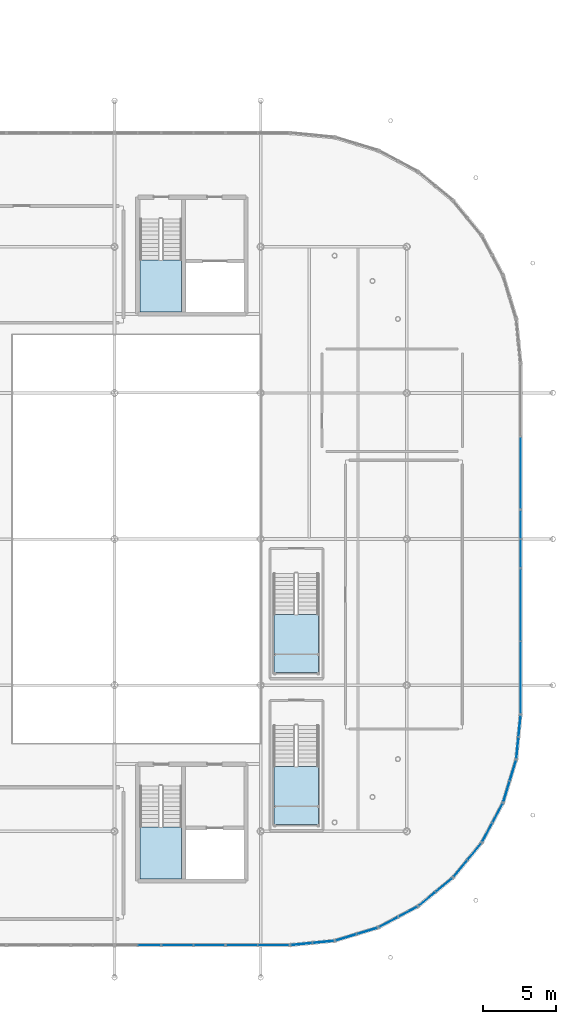
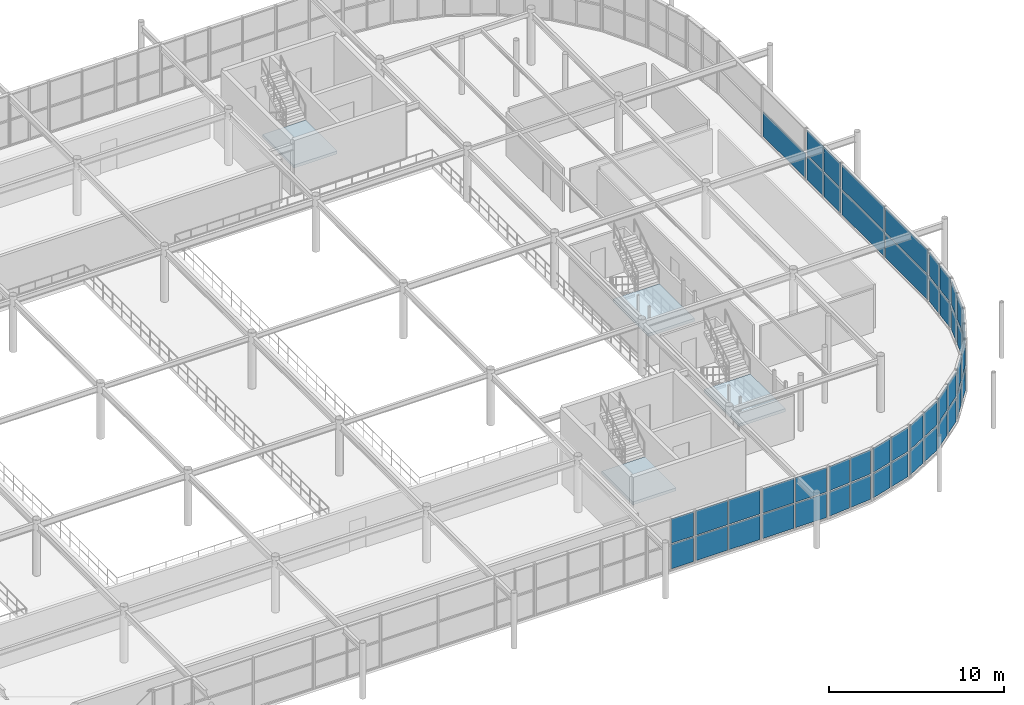
# One storey, part 71 of 98: 51 plates, 4 slabs, 18 elements without a shape of their own.
"""IFC4 building model written with IfcOpenShell, lengths in metres."""

import ifcopenshell
import ifcopenshell.guid

model = None  # the IFC model being written
_history = None  # IfcOwnerHistory: only IFC2X3 demands one
_inside = {}  # id of a spatial element -> (the spatial element, [elements in it])
_under = {}  # id of a project, library or spatial element -> (it, [spatial elements below it])
_declared = {}  # id of a project -> (the project, [libraries it declares])
_typed = {}  # id of a type object -> (the type object, [elements of that type])
_made_of = {}  # id of a material, layer set ... -> (it, [elements and type objects made of it])


def new_model(schema):
    """Start an empty IFC model of exactly this schema.

    Asked for "IFC4X3", IfcOpenShell would pick the latest addendum, in which some entities
    have other attributes; the version numbers below select the first issue.
    IFC2X3 requires an IfcOwnerHistory on every rooted entity: one is made here for all.
    """
    global model, _history
    if schema == "IFC4X3":
        model = ifcopenshell.file(schema_version=(4, 3, 0, 0))
    else:
        model = ifcopenshell.file(schema=schema)
    _inside.clear()
    _under.clear()
    _declared.clear()
    _typed.clear()
    _made_of.clear()
    _history = None
    if model.schema == "IFC2X3":
        org = make("IfcOrganization", Name="unknown")
        user = make(
            "IfcPersonAndOrganization",
            ThePerson=make("IfcPerson", FamilyName="unknown"),
            TheOrganization=org,
        )
        app = make(
            "IfcApplication",
            ApplicationDeveloper=org,
            Version="unknown",
            ApplicationFullName="unknown",
            ApplicationIdentifier="unknown",
        )
        _history = make(
            "IfcOwnerHistory",
            OwningUser=user,
            OwningApplication=app,
            ChangeAction="ADDED",
            CreationDate=0,
        )
    return model


def make(cls, **values):
    """One entity of the class cls with the attributes given. An attribute that is None is left unset."""
    return model.create_entity(
        cls, **{name: value for name, value in values.items() if value is not None}
    )


def rooted(cls, **values):
    """An entity with a GlobalId (a new one), such as an element, a storey or a relation."""
    return make(cls, GlobalId=ifcopenshell.guid.new(), OwnerHistory=_history, **values)


def si_unit(unit_type, name, prefix=None):
    """IfcSIUnit, for example si_unit("LENGTHUNIT", "METRE", prefix="MILLI")."""
    return make("IfcSIUnit", UnitType=unit_type, Prefix=prefix, Name=name)


def derived_unit(unit_type, elements):
    """IfcDerivedUnit: a product of units, each with its exponent."""
    return make(
        "IfcDerivedUnit",
        Elements=[
            make("IfcDerivedUnitElement", Unit=unit, Exponent=power)
            for unit, power in elements
        ],
        UnitType=unit_type,
    )


def assignment(units):
    """IfcUnitAssignment: the units of a project."""
    return None if units is None else make("IfcUnitAssignment", Units=units)


def point(xyz):
    """IfcCartesianPoint."""
    return None if xyz is None else make("IfcCartesianPoint", Coordinates=xyz)


def direction(xyz):
    """IfcDirection."""
    return None if xyz is None else make("IfcDirection", DirectionRatios=xyz)


def frame(location, z_axis=None, x_axis=None):
    """IfcAxis2Placement3D, a coordinate frame: its origin and axes. An axis left out is left unset."""
    return make(
        "IfcAxis2Placement3D",
        Location=point(location),
        Axis=direction(z_axis),
        RefDirection=direction(x_axis),
    )


def frame_2d(location, x_axis=None):
    """IfcAxis2Placement2D, a coordinate frame in the plane: its origin and x axis."""
    return make(
        "IfcAxis2Placement2D", Location=point(location), RefDirection=direction(x_axis)
    )


def origin():
    """The frame at (0, 0, 0) with its axes left unset."""
    return frame((0.0, 0.0, 0.0))


def origin_2d_with_axis():
    """The frame at (0, 0) in the plane with the x axis (1, 0) written out."""
    return frame_2d((0.0, 0.0), x_axis=(1.0, 0.0))


def place(relative_to, where):
    """IfcLocalPlacement: puts the frame where relative to a parent placement (None: the world)."""
    return make(
        "IfcLocalPlacement", PlacementRelTo=relative_to, RelativePlacement=where
    )


def context(
    kind, dimensions, precision=None, world=None, true_north=None, identifier=None
):
    """IfcGeometricRepresentationContext, for example the 3D "Model" context."""
    return make(
        "IfcGeometricRepresentationContext",
        ContextIdentifier=identifier,
        ContextType=kind,
        CoordinateSpaceDimension=dimensions,
        Precision=precision,
        WorldCoordinateSystem=world,
        TrueNorth=true_north,
    )


def subcontext(parent, identifier, kind, view, scale=None):
    """IfcGeometricRepresentationSubContext, for example "Body" below "Model"."""
    return make(
        "IfcGeometricRepresentationSubContext",
        ContextIdentifier=identifier,
        ContextType=kind,
        ParentContext=parent,
        TargetScale=scale,
        TargetView=view,
    )


def project(units=None, contexts=None):
    """IfcProject with its units and contexts."""
    return rooted(
        "IfcProject",
        Name="project",
        RepresentationContexts=contexts,
        UnitsInContext=assignment(units),
    )


def spatial(cls, under=None, at=None, **own):
    """A site, building, storey or space (cls), placed at a placement, below another one or the project."""
    s = rooted(cls, ObjectPlacement=at, **own)
    if under is not None:
        _under.setdefault(under.id(), (under, []))[1].append(s)
    return s


def polyline(points):
    """IfcPolyline through the points."""
    return make("IfcPolyline", Points=[point(p) for p in points])


def profile(cls, at=None, kind="AREA", **sizes):
    """A parametric profile (cls). Its sizes go by their IFC names, for example OverallWidth=200.0."""
    return make(cls, ProfileType=kind, Position=at, **sizes)


def rectangle(**sizes):
    """IfcRectangleProfileDef."""
    return profile("IfcRectangleProfileDef", **sizes)


def outline(outer, holes=None, kind="AREA"):
    """IfcArbitraryClosedProfileDef: a profile drawn as a closed curve; with holes, ...WithVoids."""
    if holes is None:
        return make("IfcArbitraryClosedProfileDef", ProfileType=kind, OuterCurve=outer)
    return make(
        "IfcArbitraryProfileDefWithVoids",
        ProfileType=kind,
        OuterCurve=outer,
        InnerCurves=holes,
    )


def extrude(swept, where, along, depth):
    """IfcExtrudedAreaSolid: the profile swept, set in the frame where, extruded along a direction by depth."""
    return make(
        "IfcExtrudedAreaSolid",
        SweptArea=swept,
        Position=where,
        ExtrudedDirection=direction(along),
        Depth=depth,
    )


def shape(context_of_items, identifier, shape_type, items):
    """IfcShapeRepresentation: the items that make up one representation, for example the "Body"."""
    return make(
        "IfcShapeRepresentation",
        ContextOfItems=context_of_items,
        RepresentationIdentifier=identifier,
        RepresentationType=shape_type,
        Items=items,
    )


def material(Name=None, Category=None):
    """IfcMaterial."""
    return make("IfcMaterial", Name=Name, Category=Category)


def layer(
    of_material, thickness, ventilated=None, Name=None, Category=None, Priority=None
):
    """IfcMaterialLayer: one layer of a wall or slab, of a material (None: an air gap)."""
    return make(
        "IfcMaterialLayer",
        Material=of_material,
        LayerThickness=thickness,
        IsVentilated=ventilated,
        Name=Name,
        Category=Category,
        Priority=Priority,
    )


def layer_set(layers, Name=None):
    """IfcMaterialLayerSet."""
    return make("IfcMaterialLayerSet", MaterialLayers=layers, LayerSetName=Name)


def made_of(thing, what):
    """Note that an element or type object is made of a material, layer set ...; save() writes the relation."""
    if what is not None:
        _made_of.setdefault(what.id(), (what, []))[1].append(thing)
    return thing


def type_object(cls, material=None, **own):
    """A type object (cls), such as IfcWallType, which elements share."""
    return made_of(rooted(cls, **own), material)


def element(
    cls,
    number,
    at=None,
    inside=None,
    cuts=None,
    type_object=None,
    material=None,
    context=None,
    identifier="Body",
    shape_type=None,
    held_by="IfcProductDefinitionShape",
    body=None,
    shapes=None,
    **own,
):
    """One element of the class cls, such as IfcWall. Its Tag is "e" and its number.

    at: its placement. inside: the storey or other place that contains it. cuts: it is an
    opening in that element (IfcRelVoidsElement). A single representation is given by context,
    identifier, shape_type and body (its items); several are given by shapes. held_by: the class
    of the entity that holds the representations. save() writes the other relations.
    """
    e = rooted(cls, Tag="e%d" % number, ObjectPlacement=at, **own)
    if body is not None:
        shapes = [shape(context, identifier, shape_type, body)]
    if shapes is not None:
        e.Representation = make(held_by, Representations=shapes)
    if inside is not None:
        _inside.setdefault(inside.id(), (inside, []))[1].append(e)
    if cuts is not None:
        rooted(
            "IfcRelVoidsElement", RelatingBuildingElement=cuts, RelatedOpeningElement=e
        )
    if type_object is not None:
        _typed.setdefault(type_object.id(), (type_object, []))[1].append(e)
    return made_of(e, material)


def aggregate(whole, parts):
    """IfcRelAggregates: a whole, such as a stair, and the parts it consists of."""
    return rooted("IfcRelAggregates", RelatingObject=whole, RelatedObjects=parts)


def save(model, path):
    """Write the relations noted so far, then the file.

    IfcRelAggregates (storeys below a building ...), IfcRelContainedInSpatialStructure (elements
    in a storey), IfcRelDefinesByType, IfcRelAssociatesMaterial and IfcRelDeclares: one each for
    every whole, place, type object, material and project.
    """
    for whole, parts in _under.values():
        aggregate(whole, parts)
    for where, things in _inside.values():
        rooted(
            "IfcRelContainedInSpatialStructure",
            RelatedElements=things,
            RelatingStructure=where,
        )
    for kind, things in _typed.values():
        rooted("IfcRelDefinesByType", RelatedObjects=things, RelatingType=kind)
    for what, things in _made_of.values():
        rooted("IfcRelAssociatesMaterial", RelatedObjects=things, RelatingMaterial=what)
    for by, libraries in _declared.values():
        rooted("IfcRelDeclares", RelatingContext=by, RelatedDefinitions=libraries)
    model.write(path)


model = new_model("IFC4")

# Units and contexts
model_context = context("Model", 3, precision=1e-05, world=origin(), true_north=direction((0.0, 1.0)))
body_context = subcontext(model_context, "Body", "Model", "MODEL_VIEW")
ifc_project = project(units=[si_unit("LENGTHUNIT", "METRE"), si_unit("AREAUNIT", "SQUARE_METRE"), si_unit("VOLUMEUNIT", "CUBIC_METRE"), si_unit("PLANEANGLEUNIT", "RADIAN"), si_unit("MASSUNIT", "GRAM", prefix="KILO"), derived_unit("THERMALTRANSMITTANCEUNIT", [(si_unit("POWERUNIT", "WATT"), 1), (si_unit("LENGTHUNIT", "METRE"), -2), (si_unit("THERMODYNAMICTEMPERATUREUNIT", "KELVIN"), -1)])], contexts=[model_context])

# Site, building, storey
site_placement = place(None, origin())
site = spatial("IfcSite", under=ifc_project, at=site_placement, CompositionType="ELEMENT")
building_placement = place(site_placement, origin())
building = spatial("IfcBuilding", under=site, at=building_placement, Name="Cinnabar Yard Market Hall", CompositionType="ELEMENT")
storey_placement = place(building_placement, frame((0.0, 0.0, 4.5)))
storey = spatial("IfcBuildingStorey", under=building, at=storey_placement, Name="L01", CompositionType="ELEMENT", Elevation=4.5)

# Curtain wall, plates
ifc_material_1 = material(Name="Anodised bronze aluminium curved-chord facade", Category="aluminium")
curtain_wall_type_1 = type_object("IfcCurtainWallType", Name="CW-CWC031x36", PredefinedType="NOTDEFINED", material=ifc_material_1)
curtain_wall_1_placement = place(storey_placement, origin())
curtain_wall_1 = element("IfcCurtainWall", 1, at=curtain_wall_1_placement, inside=storey, type_object=curtain_wall_type_1, Name="Corner SE Chord 1 L01", PredefinedType="NOTDEFINED")
ifc_material_2 = material(Name="Low-E laminated glass", Category="glass")
ifc_layer_1 = layer(ifc_material_2, 0.031982421875)
ifc_layer_set_1 = layer_set([ifc_layer_1], Name="Low-E laminated glass")
plate_type_1 = type_object("IfcPlateType", Name="CWP-GP141x169", PredefinedType="CURTAIN_PANEL", material=ifc_layer_set_1)
plate_1_placement = place(storey_placement, frame((148.79296875, 16.278076171875, 0.090087890625), z_axis=(0.0, 0.0, 1.0), x_axis=(0.995184408637, 0.098020369342, 0.0)))
plate_1 = element("IfcPlate", 2, at=plate_1_placement, type_object=plate_type_1, Name="CWC031x36 panel 1.1", PredefinedType="CURTAIN_PANEL", context=body_context, shape_type="SweptSolid", body=[
    extrude(rectangle(XDim=1.41357421875, YDim=0.031982421875, at=origin_2d_with_axis()), origin(), (0.0, 0.0, 1.0), 1.68994140625),
])
plate_2_placement = place(storey_placement, frame((148.79296875, 16.278076171875, 1.8701171875), z_axis=(0.0, 0.0, 1.0), x_axis=(0.995184408637, 0.098020369342, 0.0)))
plate_2 = element("IfcPlate", 3, at=plate_2_placement, type_object=plate_type_1, Name="CWC031x36 panel 1.2", PredefinedType="CURTAIN_PANEL", context=body_context, shape_type="SweptSolid", body=[
    extrude(rectangle(XDim=1.41357421875, YDim=0.031982421875, at=origin_2d_with_axis()), origin(), (0.0, 0.0, 1.0), 1.68994140625),
])
plate_3_placement = place(storey_placement, frame((150.289306640625, 16.425537109375, 0.090087890625), z_axis=(0.0, 0.0, 1.0), x_axis=(0.995184408637, 0.098020369342, 0.0)))
plate_3 = element("IfcPlate", 4, at=plate_3_placement, type_object=plate_type_1, Name="CWC031x36 panel 2.1", PredefinedType="CURTAIN_PANEL", context=body_context, shape_type="SweptSolid", body=[
    extrude(rectangle(XDim=1.41357421875, YDim=0.031982421875, at=origin_2d_with_axis()), origin(), (0.0, 0.0, 1.0), 1.68994140625),
])
plate_4_placement = place(storey_placement, frame((150.289306640625, 16.425537109375, 1.8701171875), z_axis=(0.0, 0.0, 1.0), x_axis=(0.995184408637, 0.098020369342, 0.0)))
plate_4 = element("IfcPlate", 5, at=plate_4_placement, type_object=plate_type_1, Name="CWC031x36 panel 2.2", PredefinedType="CURTAIN_PANEL", context=body_context, shape_type="SweptSolid", body=[
    extrude(rectangle(XDim=1.41357421875, YDim=0.031982421875, at=origin_2d_with_axis()), origin(), (0.0, 0.0, 1.0), 1.68994140625),
])
aggregate(curtain_wall_1, [plate_1, plate_2, plate_3, plate_4])

curtain_wall_2_placement = place(storey_placement, origin())
curtain_wall_2 = element("IfcCurtainWall", 6, at=curtain_wall_2_placement, inside=storey, type_object=curtain_wall_type_1, Name="Corner SE Chord 2 L01", PredefinedType="NOTDEFINED")
plate_5_placement = place(storey_placement, frame((151.844970703125, 16.73486328125, 0.090087890625), z_axis=(0.0, 0.0, 1.0), x_axis=(0.956942090856, 0.290278891325, 0.0)))
plate_5 = element("IfcPlate", 7, at=plate_5_placement, type_object=plate_type_1, Name="CWC031x36 panel 1.1", PredefinedType="CURTAIN_PANEL", context=body_context, shape_type="SweptSolid", body=[
    extrude(rectangle(XDim=1.41357421875, YDim=0.031982421875, at=origin_2d_with_axis()), origin(), (0.0, 0.0, 1.0), 1.68994140625),
])
plate_6_placement = place(storey_placement, frame((151.844970703125, 16.73486328125, 1.8701171875), z_axis=(0.0, 0.0, 1.0), x_axis=(0.956942090856, 0.290278891325, 0.0)))
plate_6 = element("IfcPlate", 8, at=plate_6_placement, type_object=plate_type_1, Name="CWC031x36 panel 1.2", PredefinedType="CURTAIN_PANEL", context=body_context, shape_type="SweptSolid", body=[
    extrude(rectangle(XDim=1.41357421875, YDim=0.031982421875, at=origin_2d_with_axis()), origin(), (0.0, 0.0, 1.0), 1.68994140625),
])
plate_7_placement = place(storey_placement, frame((153.283935546875, 17.17138671875, 0.090087890625), z_axis=(0.0, 0.0, 1.0), x_axis=(0.956942090856, 0.290278891325, 0.0)))
plate_7 = element("IfcPlate", 9, at=plate_7_placement, type_object=plate_type_1, Name="CWC031x36 panel 2.1", PredefinedType="CURTAIN_PANEL", context=body_context, shape_type="SweptSolid", body=[
    extrude(rectangle(XDim=1.41357421875, YDim=0.031982421875, at=origin_2d_with_axis()), origin(), (0.0, 0.0, 1.0), 1.68994140625),
])
plate_8_placement = place(storey_placement, frame((153.283935546875, 17.17138671875, 1.8701171875), z_axis=(0.0, 0.0, 1.0), x_axis=(0.956942090856, 0.290278891325, 0.0)))
plate_8 = element("IfcPlate", 10, at=plate_8_placement, type_object=plate_type_1, Name="CWC031x36 panel 2.2", PredefinedType="CURTAIN_PANEL", context=body_context, shape_type="SweptSolid", body=[
    extrude(rectangle(XDim=1.41357421875, YDim=0.031982421875, at=origin_2d_with_axis()), origin(), (0.0, 0.0, 1.0), 1.68994140625),
])
aggregate(curtain_wall_2, [plate_5, plate_6, plate_7, plate_8])

curtain_wall_3_placement = place(storey_placement, origin())
curtain_wall_3 = element("IfcCurtainWall", 11, at=curtain_wall_3_placement, inside=storey, type_object=curtain_wall_type_1, Name="Corner SE Chord 3 L01", PredefinedType="NOTDEFINED")
plate_9_placement = place(storey_placement, frame((154.7490234375, 17.7783203125, 0.090087890625), z_axis=(0.0, 0.0, 1.0), x_axis=(0.881917320707, 0.471404114786, 0.0)))
plate_9 = element("IfcPlate", 12, at=plate_9_placement, type_object=plate_type_1, Name="CWC031x36 panel 1.1", PredefinedType="CURTAIN_PANEL", context=body_context, shape_type="SweptSolid", body=[
    extrude(rectangle(XDim=1.41357421875, YDim=0.031982421875, at=origin_2d_with_axis()), origin(), (0.0, 0.0, 1.0), 1.68994140625),
])
plate_10_placement = place(storey_placement, frame((154.7490234375, 17.7783203125, 1.8701171875), z_axis=(0.0, 0.0, 1.0), x_axis=(0.881917320707, 0.471404114786, 0.0)))
plate_10 = element("IfcPlate", 13, at=plate_10_placement, type_object=plate_type_1, Name="CWC031x36 panel 1.2", PredefinedType="CURTAIN_PANEL", context=body_context, shape_type="SweptSolid", body=[
    extrude(rectangle(XDim=1.41357421875, YDim=0.031982421875, at=origin_2d_with_axis()), origin(), (0.0, 0.0, 1.0), 1.68994140625),
])
plate_11_placement = place(storey_placement, frame((156.0751953125, 18.487060546875, 0.090087890625), z_axis=(0.0, 0.0, 1.0), x_axis=(0.881917320707, 0.471404114786, 0.0)))
plate_11 = element("IfcPlate", 14, at=plate_11_placement, type_object=plate_type_1, Name="CWC031x36 panel 2.1", PredefinedType="CURTAIN_PANEL", context=body_context, shape_type="SweptSolid", body=[
    extrude(rectangle(XDim=1.41357421875, YDim=0.031982421875, at=origin_2d_with_axis()), origin(), (0.0, 0.0, 1.0), 1.68994140625),
])
plate_12_placement = place(storey_placement, frame((156.0751953125, 18.487060546875, 1.8701171875), z_axis=(0.0, 0.0, 1.0), x_axis=(0.881917320707, 0.471404114786, 0.0)))
plate_12 = element("IfcPlate", 15, at=plate_12_placement, type_object=plate_type_1, Name="CWC031x36 panel 2.2", PredefinedType="CURTAIN_PANEL", context=body_context, shape_type="SweptSolid", body=[
    extrude(rectangle(XDim=1.41357421875, YDim=0.031982421875, at=origin_2d_with_axis()), origin(), (0.0, 0.0, 1.0), 1.68994140625),
])
aggregate(curtain_wall_3, [plate_9, plate_10, plate_11, plate_12])

curtain_wall_4_placement = place(storey_placement, origin())
curtain_wall_4 = element("IfcCurtainWall", 16, at=curtain_wall_4_placement, inside=storey, type_object=curtain_wall_type_1, Name="Corner SE Chord 4 L01", PredefinedType="NOTDEFINED")
plate_13_placement = place(storey_placement, frame((157.39404296875, 19.368408203125, 0.090087890625), z_axis=(0.0, 0.0, 1.0), x_axis=(0.773018564222, 0.634383400924, 0.0)))
plate_13 = element("IfcPlate", 17, at=plate_13_placement, type_object=plate_type_1, Name="CWC031x36 panel 1.1", PredefinedType="CURTAIN_PANEL", context=body_context, shape_type="SweptSolid", body=[
    extrude(rectangle(XDim=1.41357421875, YDim=0.031982421875, at=origin_2d_with_axis()), origin(), (0.0, 0.0, 1.0), 1.68994140625),
])
plate_14_placement = place(storey_placement, frame((157.39404296875, 19.368408203125, 1.8701171875), z_axis=(0.0, 0.0, 1.0), x_axis=(0.773018564222, 0.634383400924, 0.0)))
plate_14 = element("IfcPlate", 18, at=plate_14_placement, type_object=plate_type_1, Name="CWC031x36 panel 1.2", PredefinedType="CURTAIN_PANEL", context=body_context, shape_type="SweptSolid", body=[
    extrude(rectangle(XDim=1.41357421875, YDim=0.031982421875, at=origin_2d_with_axis()), origin(), (0.0, 0.0, 1.0), 1.68994140625),
])
plate_15_placement = place(storey_placement, frame((158.556396484375, 20.322265625, 0.090087890625), z_axis=(0.0, 0.0, 1.0), x_axis=(0.773018564222, 0.634383400924, 0.0)))
plate_15 = element("IfcPlate", 19, at=plate_15_placement, type_object=plate_type_1, Name="CWC031x36 panel 2.1", PredefinedType="CURTAIN_PANEL", context=body_context, shape_type="SweptSolid", body=[
    extrude(rectangle(XDim=1.41357421875, YDim=0.031982421875, at=origin_2d_with_axis()), origin(), (0.0, 0.0, 1.0), 1.68994140625),
])
plate_16_placement = place(storey_placement, frame((158.556396484375, 20.322265625, 1.8701171875), z_axis=(0.0, 0.0, 1.0), x_axis=(0.773018564222, 0.634383400924, 0.0)))
plate_16 = element("IfcPlate", 20, at=plate_16_placement, type_object=plate_type_1, Name="CWC031x36 panel 2.2", PredefinedType="CURTAIN_PANEL", context=body_context, shape_type="SweptSolid", body=[
    extrude(rectangle(XDim=1.41357421875, YDim=0.031982421875, at=origin_2d_with_axis()), origin(), (0.0, 0.0, 1.0), 1.68994140625),
])
aggregate(curtain_wall_4, [plate_13, plate_14, plate_15, plate_16])

curtain_wall_5_placement = place(storey_placement, origin())
curtain_wall_5 = element("IfcCurtainWall", 21, at=curtain_wall_5_placement, inside=storey, type_object=curtain_wall_type_1, Name="Corner SE Chord 5 L01", PredefinedType="NOTDEFINED")
plate_17_placement = place(storey_placement, frame((159.677734375, 21.443603515625, 0.090087890625), z_axis=(0.0, 0.0, 1.0), x_axis=(0.634383400924, 0.773018564222, 0.0)))
plate_17 = element("IfcPlate", 22, at=plate_17_placement, type_object=plate_type_1, Name="CWC031x36 panel 1.1", PredefinedType="CURTAIN_PANEL", context=body_context, shape_type="SweptSolid", body=[
    extrude(rectangle(XDim=1.41357421875, YDim=0.031982421875, at=origin_2d_with_axis()), origin(), (0.0, 0.0, 1.0), 1.68994140625),
])
plate_18_placement = place(storey_placement, frame((159.677734375, 21.443603515625, 1.8701171875), z_axis=(0.0, 0.0, 1.0), x_axis=(0.634383400924, 0.773018564222, 0.0)))
plate_18 = element("IfcPlate", 23, at=plate_18_placement, type_object=plate_type_1, Name="CWC031x36 panel 1.2", PredefinedType="CURTAIN_PANEL", context=body_context, shape_type="SweptSolid", body=[
    extrude(rectangle(XDim=1.41357421875, YDim=0.031982421875, at=origin_2d_with_axis()), origin(), (0.0, 0.0, 1.0), 1.68994140625),
])
plate_19_placement = place(storey_placement, frame((160.631591796875, 22.60595703125, 0.090087890625), z_axis=(0.0, 0.0, 1.0), x_axis=(0.634383400924, 0.773018564222, 0.0)))
plate_19 = element("IfcPlate", 24, at=plate_19_placement, type_object=plate_type_1, Name="CWC031x36 panel 2.1", PredefinedType="CURTAIN_PANEL", context=body_context, shape_type="SweptSolid", body=[
    extrude(rectangle(XDim=1.41357421875, YDim=0.031982421875, at=origin_2d_with_axis()), origin(), (0.0, 0.0, 1.0), 1.68994140625),
])
plate_20_placement = place(storey_placement, frame((160.631591796875, 22.60595703125, 1.8701171875), z_axis=(0.0, 0.0, 1.0), x_axis=(0.634383400924, 0.773018564222, 0.0)))
plate_20 = element("IfcPlate", 25, at=plate_20_placement, type_object=plate_type_1, Name="CWC031x36 panel 2.2", PredefinedType="CURTAIN_PANEL", context=body_context, shape_type="SweptSolid", body=[
    extrude(rectangle(XDim=1.41357421875, YDim=0.031982421875, at=origin_2d_with_axis()), origin(), (0.0, 0.0, 1.0), 1.68994140625),
])
aggregate(curtain_wall_5, [plate_17, plate_18, plate_19, plate_20])

curtain_wall_6_placement = place(storey_placement, origin())
curtain_wall_6 = element("IfcCurtainWall", 26, at=curtain_wall_6_placement, inside=storey, type_object=curtain_wall_type_1, Name="Corner SE Chord 6 L01", PredefinedType="NOTDEFINED")
plate_21_placement = place(storey_placement, frame((161.512939453125, 23.9248046875, 0.090087890625), z_axis=(0.0, 0.0, 1.0), x_axis=(0.471404114786, 0.881917320707, 0.0)))
plate_21 = element("IfcPlate", 27, at=plate_21_placement, type_object=plate_type_1, Name="CWC031x36 panel 1.1", PredefinedType="CURTAIN_PANEL", context=body_context, shape_type="SweptSolid", body=[
    extrude(rectangle(XDim=1.41357421875, YDim=0.031982421875, at=origin_2d_with_axis()), origin(), (0.0, 0.0, 1.0), 1.68994140625),
])
plate_22_placement = place(storey_placement, frame((161.512939453125, 23.9248046875, 1.8701171875), z_axis=(0.0, 0.0, 1.0), x_axis=(0.471404114786, 0.881917320707, 0.0)))
plate_22 = element("IfcPlate", 28, at=plate_22_placement, type_object=plate_type_1, Name="CWC031x36 panel 1.2", PredefinedType="CURTAIN_PANEL", context=body_context, shape_type="SweptSolid", body=[
    extrude(rectangle(XDim=1.41357421875, YDim=0.031982421875, at=origin_2d_with_axis()), origin(), (0.0, 0.0, 1.0), 1.68994140625),
])
plate_23_placement = place(storey_placement, frame((162.2216796875, 25.2509765625, 0.090087890625), z_axis=(0.0, 0.0, 1.0), x_axis=(0.471404114786, 0.881917320707, 0.0)))
plate_23 = element("IfcPlate", 29, at=plate_23_placement, type_object=plate_type_1, Name="CWC031x36 panel 2.1", PredefinedType="CURTAIN_PANEL", context=body_context, shape_type="SweptSolid", body=[
    extrude(rectangle(XDim=1.41357421875, YDim=0.031982421875, at=origin_2d_with_axis()), origin(), (0.0, 0.0, 1.0), 1.68994140625),
])
plate_24_placement = place(storey_placement, frame((162.2216796875, 25.2509765625, 1.8701171875), z_axis=(0.0, 0.0, 1.0), x_axis=(0.471404114786, 0.881917320707, 0.0)))
plate_24 = element("IfcPlate", 30, at=plate_24_placement, type_object=plate_type_1, Name="CWC031x36 panel 2.2", PredefinedType="CURTAIN_PANEL", context=body_context, shape_type="SweptSolid", body=[
    extrude(rectangle(XDim=1.41357421875, YDim=0.031982421875, at=origin_2d_with_axis()), origin(), (0.0, 0.0, 1.0), 1.68994140625),
])
aggregate(curtain_wall_6, [plate_21, plate_22, plate_23, plate_24])

curtain_wall_7_placement = place(storey_placement, origin())
curtain_wall_7 = element("IfcCurtainWall", 31, at=curtain_wall_7_placement, inside=storey, type_object=curtain_wall_type_1, Name="Corner SE Chord 7 L01", PredefinedType="NOTDEFINED")
plate_25_placement = place(storey_placement, frame((162.82861328125, 26.716064453125, 0.090087890625), z_axis=(0.0, 0.0, 1.0), x_axis=(0.290278891325, 0.956942090856, 0.0)))
plate_25 = element("IfcPlate", 32, at=plate_25_placement, type_object=plate_type_1, Name="CWC031x36 panel 1.1", PredefinedType="CURTAIN_PANEL", context=body_context, shape_type="SweptSolid", body=[
    extrude(rectangle(XDim=1.41357421875, YDim=0.031982421875, at=origin_2d_with_axis()), origin(), (0.0, 0.0, 1.0), 1.68994140625),
])
plate_26_placement = place(storey_placement, frame((162.82861328125, 26.716064453125, 1.8701171875), z_axis=(0.0, 0.0, 1.0), x_axis=(0.290278891325, 0.956942090856, 0.0)))
plate_26 = element("IfcPlate", 33, at=plate_26_placement, type_object=plate_type_1, Name="CWC031x36 panel 1.2", PredefinedType="CURTAIN_PANEL", context=body_context, shape_type="SweptSolid", body=[
    extrude(rectangle(XDim=1.41357421875, YDim=0.031982421875, at=origin_2d_with_axis()), origin(), (0.0, 0.0, 1.0), 1.68994140625),
])
plate_27_placement = place(storey_placement, frame((163.26513671875, 28.155029296875, 0.090087890625), z_axis=(0.0, 0.0, 1.0), x_axis=(0.290278891325, 0.956942090856, 0.0)))
plate_27 = element("IfcPlate", 34, at=plate_27_placement, type_object=plate_type_1, Name="CWC031x36 panel 2.1", PredefinedType="CURTAIN_PANEL", context=body_context, shape_type="SweptSolid", body=[
    extrude(rectangle(XDim=1.41357421875, YDim=0.031982421875, at=origin_2d_with_axis()), origin(), (0.0, 0.0, 1.0), 1.68994140625),
])
plate_28_placement = place(storey_placement, frame((163.26513671875, 28.155029296875, 1.8701171875), z_axis=(0.0, 0.0, 1.0), x_axis=(0.290278891325, 0.956942090856, 0.0)))
plate_28 = element("IfcPlate", 35, at=plate_28_placement, type_object=plate_type_1, Name="CWC031x36 panel 2.2", PredefinedType="CURTAIN_PANEL", context=body_context, shape_type="SweptSolid", body=[
    extrude(rectangle(XDim=1.41357421875, YDim=0.031982421875, at=origin_2d_with_axis()), origin(), (0.0, 0.0, 1.0), 1.68994140625),
])
aggregate(curtain_wall_7, [plate_25, plate_26, plate_27, plate_28])

curtain_wall_8_placement = place(storey_placement, origin())
curtain_wall_8 = element("IfcCurtainWall", 36, at=curtain_wall_8_placement, inside=storey, type_object=curtain_wall_type_1, Name="Corner SE Chord 8 L01", PredefinedType="NOTDEFINED")
plate_29_placement = place(storey_placement, frame((163.574462890625, 29.710693359375, 0.090087890625), z_axis=(0.0, 0.0, 1.0), x_axis=(0.098020369342, 0.995184408637, 0.0)))
plate_29 = element("IfcPlate", 37, at=plate_29_placement, type_object=plate_type_1, Name="CWC031x36 panel 1.1", PredefinedType="CURTAIN_PANEL", context=body_context, shape_type="SweptSolid", body=[
    extrude(rectangle(XDim=1.41357421875, YDim=0.031982421875, at=origin_2d_with_axis()), origin(), (0.0, 0.0, 1.0), 1.68994140625),
])
plate_30_placement = place(storey_placement, frame((163.574462890625, 29.710693359375, 1.8701171875), z_axis=(0.0, 0.0, 1.0), x_axis=(0.098020369342, 0.995184408637, 0.0)))
plate_30 = element("IfcPlate", 38, at=plate_30_placement, type_object=plate_type_1, Name="CWC031x36 panel 1.2", PredefinedType="CURTAIN_PANEL", context=body_context, shape_type="SweptSolid", body=[
    extrude(rectangle(XDim=1.41357421875, YDim=0.031982421875, at=origin_2d_with_axis()), origin(), (0.0, 0.0, 1.0), 1.68994140625),
])
plate_31_placement = place(storey_placement, frame((163.721923828125, 31.20703125, 0.090087890625), z_axis=(0.0, 0.0, 1.0), x_axis=(0.098020369342, 0.995184408637, 0.0)))
plate_31 = element("IfcPlate", 39, at=plate_31_placement, type_object=plate_type_1, Name="CWC031x36 panel 2.1", PredefinedType="CURTAIN_PANEL", context=body_context, shape_type="SweptSolid", body=[
    extrude(rectangle(XDim=1.41357421875, YDim=0.031982421875, at=origin_2d_with_axis()), origin(), (0.0, 0.0, 1.0), 1.68994140625),
])
plate_32_placement = place(storey_placement, frame((163.721923828125, 31.20703125, 1.8701171875), z_axis=(0.0, 0.0, 1.0), x_axis=(0.098020369342, 0.995184408637, 0.0)))
plate_32 = element("IfcPlate", 40, at=plate_32_placement, type_object=plate_type_1, Name="CWC031x36 panel 2.2", PredefinedType="CURTAIN_PANEL", context=body_context, shape_type="SweptSolid", body=[
    extrude(rectangle(XDim=1.41357421875, YDim=0.031982421875, at=origin_2d_with_axis()), origin(), (0.0, 0.0, 1.0), 1.68994140625),
])
aggregate(curtain_wall_8, [plate_29, plate_30, plate_31, plate_32])

ifc_material_3 = material(Name="Anodised bronze aluminium and low-E glass", Category="aluminium")
curtain_wall_type_2 = type_object("IfcCurtainWallType", Name="CW-CWH032x36", PredefinedType="NOTDEFINED", material=ifc_material_3)
curtain_wall_9_placement = place(storey_placement, origin())
curtain_wall_9 = element("IfcCurtainWall", 41, at=curtain_wall_9_placement, inside=storey, type_object=curtain_wall_type_2, Name="Market Hall South Gallery Glazing B6A", PredefinedType="NOTDEFINED")
ifc_layer_2 = layer(ifc_material_2, 0.031982421875)
ifc_layer_set_2 = layer_set([ifc_layer_2], Name="Low-E laminated glass")
plate_type_2 = type_object("IfcPlateType", Name="CWP-GP148x171", PredefinedType="CURTAIN_PANEL", material=ifc_layer_set_2)
plate_33_placement = place(storey_placement, frame((138.3798828125, 16.199951171875, 0.080078125), z_axis=(0.0, 0.0, 1.0), x_axis=(1.0, 0.0, 0.0)))
plate_33 = element("IfcPlate", 42, at=plate_33_placement, type_object=plate_type_2, Name="CWH032x36 panel 2.1", PredefinedType="CURTAIN_PANEL", context=body_context, shape_type="SweptSolid", body=[
    extrude(rectangle(XDim=1.47998046875, YDim=0.031982421875, at=origin_2d_with_axis()), origin(), (0.0, 0.0, 1.0), 1.705078125),
])
plate_34_placement = place(storey_placement, frame((138.3798828125, 16.199951171875, 1.864990234375), z_axis=(0.0, 0.0, 1.0), x_axis=(1.0, 0.0, 0.0)))
plate_34 = element("IfcPlate", 43, at=plate_34_placement, type_object=plate_type_2, Name="CWH032x36 panel 2.2", PredefinedType="CURTAIN_PANEL", context=body_context, shape_type="SweptSolid", body=[
    extrude(rectangle(XDim=1.47998046875, YDim=0.031982421875, at=origin_2d_with_axis()), origin(), (0.0, 0.0, 1.0), 1.705078125),
])
aggregate(curtain_wall_9, [plate_33, plate_34])

curtain_wall_type_3 = type_object("IfcCurtainWallType", Name="CW-CWH040x36", PredefinedType="NOTDEFINED", material=ifc_material_3)
curtain_wall_10_placement = place(storey_placement, origin())
curtain_wall_10 = element("IfcCurtainWall", 44, at=curtain_wall_10_placement, inside=storey, type_object=curtain_wall_type_3, Name="Market Hall East Gallery Glazing WPT", PredefinedType="NOTDEFINED")
ifc_layer_3 = layer(ifc_material_2, 0.031982421875)
ifc_layer_set_3 = layer_set([ifc_layer_3], Name="Low-E laminated glass")
plate_type_3 = type_object("IfcPlateType", Name="CWP-GP188x171", PredefinedType="CURTAIN_PANEL", material=ifc_layer_set_3)
plate_35_placement = place(storey_placement, frame((163.800048828125, 43.02001953125, 0.080078125), z_axis=(0.0, 0.0, 1.0), x_axis=(0.0, 1.0, 0.0)))
plate_35 = element("IfcPlate", 45, at=plate_35_placement, type_object=plate_type_3, Name="CWH040x36 panel 1.1", PredefinedType="CURTAIN_PANEL", context=body_context, shape_type="SweptSolid", body=[
    extrude(rectangle(XDim=1.8798828125, YDim=0.031982421875, at=origin_2d_with_axis()), origin(), (0.0, 0.0, 1.0), 1.705078125),
])
plate_36_placement = place(storey_placement, frame((163.800048828125, 43.02001953125, 1.864990234375), z_axis=(0.0, 0.0, 1.0), x_axis=(0.0, 1.0, 0.0)))
plate_36 = element("IfcPlate", 46, at=plate_36_placement, type_object=plate_type_3, Name="CWH040x36 panel 1.2", PredefinedType="CURTAIN_PANEL", context=body_context, shape_type="SweptSolid", body=[
    extrude(rectangle(XDim=1.8798828125, YDim=0.031982421875, at=origin_2d_with_axis()), origin(), (0.0, 0.0, 1.0), 1.705078125),
])
plate_37_placement = place(storey_placement, frame((163.800048828125, 44.97998046875, 0.080078125), z_axis=(0.0, 0.0, 1.0), x_axis=(0.0, 1.0, 0.0)))
plate_37 = element("IfcPlate", 47, at=plate_37_placement, type_object=plate_type_3, Name="CWH040x36 panel 2.1", PredefinedType="CURTAIN_PANEL", context=body_context, shape_type="SweptSolid", body=[
    extrude(rectangle(XDim=1.8798828125, YDim=0.031982421875, at=origin_2d_with_axis()), origin(), (0.0, 0.0, 1.0), 1.705078125),
])
plate_38_placement = place(storey_placement, frame((163.800048828125, 44.97998046875, 1.864990234375), z_axis=(0.0, 0.0, 1.0), x_axis=(0.0, 1.0, 0.0)))
plate_38 = element("IfcPlate", 48, at=plate_38_placement, type_object=plate_type_3, Name="CWH040x36 panel 2.2", PredefinedType="CURTAIN_PANEL", context=body_context, shape_type="SweptSolid", body=[
    extrude(rectangle(XDim=1.8798828125, YDim=0.031982421875, at=origin_2d_with_axis()), origin(), (0.0, 0.0, 1.0), 1.705078125),
])
aggregate(curtain_wall_10, [plate_35, plate_36, plate_37, plate_38])

curtain_wall_type_4 = type_object("IfcCurtainWallType", Name="CW-CWH044x36", PredefinedType="NOTDEFINED", material=ifc_material_3)
curtain_wall_11_placement = place(storey_placement, origin())
curtain_wall_11 = element("IfcCurtainWall", 49, at=curtain_wall_11_placement, inside=storey, type_object=curtain_wall_type_4, Name="Market Hall South Gallery Glazing PTE", PredefinedType="NOTDEFINED")
ifc_layer_4 = layer(ifc_material_2, 0.031982421875)
ifc_layer_set_4 = layer_set([ifc_layer_4], Name="Low-E laminated glass")
plate_type_4 = type_object("IfcPlateType", Name="CWP-GP208x171", PredefinedType="CURTAIN_PANEL", material=ifc_layer_set_4)
plate_39_placement = place(storey_placement, frame((140.320068359375, 16.199951171875, 0.080078125), z_axis=(0.0, 0.0, 1.0), x_axis=(1.0, 0.0, 0.0)))
plate_39 = element("IfcPlate", 50, at=plate_39_placement, type_object=plate_type_4, Name="CWH044x36 panel 1.1", PredefinedType="CURTAIN_PANEL", context=body_context, shape_type="SweptSolid", body=[
    extrude(rectangle(XDim=2.080078125, YDim=0.031982421875, at=origin_2d_with_axis()), origin(), (0.0, 0.0, 1.0), 1.705078125),
])
plate_40_placement = place(storey_placement, frame((140.320068359375, 16.199951171875, 1.864990234375), z_axis=(0.0, 0.0, 1.0), x_axis=(1.0, 0.0, 0.0)))
plate_40 = element("IfcPlate", 51, at=plate_40_placement, type_object=plate_type_4, Name="CWH044x36 panel 1.2", PredefinedType="CURTAIN_PANEL", context=body_context, shape_type="SweptSolid", body=[
    extrude(rectangle(XDim=2.080078125, YDim=0.031982421875, at=origin_2d_with_axis()), origin(), (0.0, 0.0, 1.0), 1.705078125),
])
plate_41_placement = place(storey_placement, frame((142.47998046875, 16.199951171875, 0.080078125), z_axis=(0.0, 0.0, 1.0), x_axis=(1.0, 0.0, 0.0)))
plate_41 = element("IfcPlate", 52, at=plate_41_placement, type_object=plate_type_4, Name="CWH044x36 panel 2.1", PredefinedType="CURTAIN_PANEL", context=body_context, shape_type="SweptSolid", body=[
    extrude(rectangle(XDim=2.080078125, YDim=0.031982421875, at=origin_2d_with_axis()), origin(), (0.0, 0.0, 1.0), 1.705078125),
])
plate_42_placement = place(storey_placement, frame((142.47998046875, 16.199951171875, 1.864990234375), z_axis=(0.0, 0.0, 1.0), x_axis=(1.0, 0.0, 0.0)))
plate_42 = element("IfcPlate", 53, at=plate_42_placement, type_object=plate_type_4, Name="CWH044x36 panel 2.2", PredefinedType="CURTAIN_PANEL", context=body_context, shape_type="SweptSolid", body=[
    extrude(rectangle(XDim=2.080078125, YDim=0.031982421875, at=origin_2d_with_axis()), origin(), (0.0, 0.0, 1.0), 1.705078125),
])
aggregate(curtain_wall_11, [plate_39, plate_40, plate_41, plate_42])

curtain_wall_12_placement = place(storey_placement, origin())
curtain_wall_12 = element("IfcCurtainWall", 54, at=curtain_wall_12_placement, inside=storey, type_object=curtain_wall_type_4, Name="Market Hall South Gallery Glazing B6B", PredefinedType="NOTDEFINED")
plate_43_placement = place(storey_placement, frame((144.719970703125, 16.199951171875, 0.080078125), z_axis=(0.0, 0.0, 1.0), x_axis=(1.0, 0.0, 0.0)))
plate_43 = element("IfcPlate", 55, at=plate_43_placement, type_object=plate_type_4, Name="CWH044x36 panel 1.1", PredefinedType="CURTAIN_PANEL", context=body_context, shape_type="SweptSolid", body=[
    extrude(rectangle(XDim=2.080078125, YDim=0.031982421875, at=origin_2d_with_axis()), origin(), (0.0, 0.0, 1.0), 1.705078125),
])
plate_44_placement = place(storey_placement, frame((144.719970703125, 16.199951171875, 1.864990234375), z_axis=(0.0, 0.0, 1.0), x_axis=(1.0, 0.0, 0.0)))
plate_44 = element("IfcPlate", 56, at=plate_44_placement, type_object=plate_type_4, Name="CWH044x36 panel 1.2", PredefinedType="CURTAIN_PANEL", context=body_context, shape_type="SweptSolid", body=[
    extrude(rectangle(XDim=2.080078125, YDim=0.031982421875, at=origin_2d_with_axis()), origin(), (0.0, 0.0, 1.0), 1.705078125),
])
plate_45_placement = place(storey_placement, frame((146.8798828125, 16.199951171875, 0.080078125), z_axis=(0.0, 0.0, 1.0), x_axis=(1.0, 0.0, 0.0)))
plate_45 = element("IfcPlate", 57, at=plate_45_placement, type_object=plate_type_4, Name="CWH044x36 panel 2.1", PredefinedType="CURTAIN_PANEL", context=body_context, shape_type="SweptSolid", body=[
    extrude(rectangle(XDim=2.080078125, YDim=0.031982421875, at=origin_2d_with_axis()), origin(), (0.0, 0.0, 1.0), 1.705078125),
])
plate_46_placement = place(storey_placement, frame((146.8798828125, 16.199951171875, 1.864990234375), z_axis=(0.0, 0.0, 1.0), x_axis=(1.0, 0.0, 0.0)))
plate_46 = element("IfcPlate", 58, at=plate_46_placement, type_object=plate_type_4, Name="CWH044x36 panel 2.2", PredefinedType="CURTAIN_PANEL", context=body_context, shape_type="SweptSolid", body=[
    extrude(rectangle(XDim=2.080078125, YDim=0.031982421875, at=origin_2d_with_axis()), origin(), (0.0, 0.0, 1.0), 1.705078125),
])
aggregate(curtain_wall_12, [plate_43, plate_44, plate_45, plate_46])

curtain_wall_type_5 = type_object("IfcCurtainWallType", Name="CW-CWH100x36", PredefinedType="NOTDEFINED", material=ifc_material_3)
curtain_wall_13_placement = place(storey_placement, origin())
curtain_wall_13 = element("IfcCurtainWall", 59, at=curtain_wall_13_placement, inside=storey, type_object=curtain_wall_type_5, Name="Market Hall East Gallery Glazing W1", PredefinedType="NOTDEFINED")
ifc_layer_5 = layer(ifc_material_2, 0.031982421875)
ifc_layer_set_5 = layer_set([ifc_layer_5], Name="Low-E laminated glass")
plate_type_5 = type_object("IfcPlateType", Name="CWP-GP488x171", PredefinedType="CURTAIN_PANEL", material=ifc_layer_set_5)
plate_47_placement = place(storey_placement, frame((163.800048828125, 34.52001953125, 0.080078125), z_axis=(0.0, 0.0, 1.0), x_axis=(0.0, 1.0, 0.0)))
plate_47 = element("IfcPlate", 60, at=plate_47_placement, type_object=plate_type_5, Name="CWH100x36 panel 1.1", PredefinedType="CURTAIN_PANEL", context=body_context, shape_type="SweptSolid", body=[
    extrude(rectangle(XDim=4.8798828125, YDim=0.031982421875, at=origin_2d_with_axis()), origin(), (0.0, 0.0, 1.0), 1.705078125),
])
plate_48_placement = place(storey_placement, frame((163.800048828125, 34.52001953125, 1.864990234375), z_axis=(0.0, 0.0, 1.0), x_axis=(0.0, 1.0, 0.0)))
plate_48 = element("IfcPlate", 61, at=plate_48_placement, type_object=plate_type_5, Name="CWH100x36 panel 1.2", PredefinedType="CURTAIN_PANEL", context=body_context, shape_type="SweptSolid", body=[
    extrude(rectangle(XDim=4.8798828125, YDim=0.031982421875, at=origin_2d_with_axis()), origin(), (0.0, 0.0, 1.0), 1.705078125),
])
plate_49_placement = place(storey_placement, frame((163.800048828125, 39.47998046875, 0.080078125), z_axis=(0.0, 0.0, 1.0), x_axis=(0.0, 1.0, 0.0)))
plate_49 = element("IfcPlate", 62, at=plate_49_placement, type_object=plate_type_5, Name="CWH100x36 panel 2.1", PredefinedType="CURTAIN_PANEL", context=body_context, shape_type="SweptSolid", body=[
    extrude(rectangle(XDim=4.8798828125, YDim=0.031982421875, at=origin_2d_with_axis()), origin(), (0.0, 0.0, 1.0), 1.705078125),
])
plate_50_placement = place(storey_placement, frame((163.800048828125, 39.47998046875, 1.864990234375), z_axis=(0.0, 0.0, 1.0), x_axis=(0.0, 1.0, 0.0)))
plate_50 = element("IfcPlate", 63, at=plate_50_placement, type_object=plate_type_5, Name="CWH100x36 panel 2.2", PredefinedType="CURTAIN_PANEL", context=body_context, shape_type="SweptSolid", body=[
    extrude(rectangle(XDim=4.8798828125, YDim=0.031982421875, at=origin_2d_with_axis()), origin(), (0.0, 0.0, 1.0), 1.705078125),
])
aggregate(curtain_wall_13, [plate_47, plate_48, plate_49, plate_50])

# Curtain wall, plate
curtain_wall_14_placement = place(storey_placement, origin())
curtain_wall_14 = element("IfcCurtainWall", 64, at=curtain_wall_14_placement, inside=storey, type_object=curtain_wall_type_5, Name="Market Hall East Gallery Glazing W2", PredefinedType="NOTDEFINED")
plate_51_placement = place(storey_placement, frame((163.800048828125, 48.52001953125, 0.080078125), z_axis=(0.0, 0.0, 1.0), x_axis=(0.0, 1.0, 0.0)))
plate_51 = element("IfcPlate", 65, at=plate_51_placement, type_object=plate_type_5, Name="CWH100x36 panel 1.1", PredefinedType="CURTAIN_PANEL", context=body_context, shape_type="SweptSolid", body=[
    extrude(rectangle(XDim=4.8798828125, YDim=0.031982421875, at=origin_2d_with_axis()), origin(), (0.0, 0.0, 1.0), 1.705078125),
])
aggregate(curtain_wall_14, [plate_51])

# Stair, slab
ifc_material_4 = material(Name="Concrete 40 MPa", Category="concrete")
stair_type_1 = type_object("IfcStairType", Name="ST-CORE", PredefinedType="HALF_TURN_STAIR", material=ifc_material_4)
stair_1_placement = place(storey_placement, origin())
stair_1 = element("IfcStair", 66, at=stair_1_placement, inside=storey, type_object=stair_type_1, Name="L01 Market Hall South-East Core Stair", PredefinedType="HALF_TURN_STAIR")
ifc_layer_6 = layer(ifc_material_4, 0.199951171875)
ifc_layer_set_6 = layer_set([ifc_layer_6], Name="Concrete 40 MPa")
slab_type = type_object("IfcSlabType", Name="SL-LAND", PredefinedType="LANDING", material=ifc_layer_set_6)
slab_1_placement = place(storey_placement, frame((0.0, 0.0, 1.75)))
slab_1 = element("IfcSlab", 67, at=slab_1_placement, type_object=slab_type, Name="ST-C2 landing 1", PredefinedType="LANDING", context=body_context, shape_type="SweptSolid", body=[
    extrude(outline(polyline([(137.739990234375, 24.31005859375), (137.739990234375, 20.739990234375), (140.60009765625, 20.739990234375), (140.60009765625, 24.31005859375), (137.739990234375, 24.31005859375)])), origin(), (0.0, 0.0, 1.0), 0.199951171875),
])
aggregate(stair_1, [slab_1])

stair_2_placement = place(storey_placement, origin())
stair_2 = element("IfcStair", 68, at=stair_2_placement, inside=storey, type_object=stair_type_1, Name="L01 Cold-Chain Goods Core Stair", PredefinedType="HALF_TURN_STAIR")
slab_2_placement = place(storey_placement, frame((0.0, 0.0, 1.75)))
slab_2 = element("IfcSlab", 69, at=slab_2_placement, type_object=slab_type, Name="ST-C7 landing 1", PredefinedType="LANDING", context=body_context, shape_type="SweptSolid", body=[
    extrude(outline(polyline([(137.739990234375, 63.110107421875), (137.739990234375, 59.5400390625), (140.60009765625, 59.5400390625), (140.60009765625, 63.110107421875), (137.739990234375, 63.110107421875)])), origin(), (0.0, 0.0, 1.0), 0.199951171875),
])
aggregate(stair_2, [slab_2])

ifc_material_5 = material(Name="Spotted gum timber treads on steel Grade 350 (350 MPa)", Category="steel")
stair_type_2 = type_object("IfcStairType", Name="ST-FEAT", PredefinedType="HALF_TURN_STAIR", material=ifc_material_5)
stair_3_placement = place(storey_placement, origin())
stair_3 = element("IfcStair", 70, at=stair_3_placement, inside=storey, type_object=stair_type_2, Name="L01 Feature Stair ST-F2", PredefinedType="HALF_TURN_STAIR")
slab_3_placement = place(storey_placement, frame((0.0, 0.0, 1.75)))
slab_3 = element("IfcSlab", 71, at=slab_3_placement, type_object=slab_type, Name="ST-F2 landing 1", PredefinedType="LANDING", context=body_context, shape_type="SweptSolid", body=[
    extrude(outline(polyline([(146.89990234375, 38.85009765625), (146.89990234375, 34.85009765625), (149.9599609375, 34.85009765625), (149.9599609375, 38.85009765625), (146.89990234375, 38.85009765625)])), origin(), (0.0, 0.0, 1.0), 0.199951171875),
])
aggregate(stair_3, [slab_3])

stair_4_placement = place(storey_placement, origin())
stair_4 = element("IfcStair", 72, at=stair_4_placement, inside=storey, type_object=stair_type_2, Name="L01 Feature Stair ST-F5", PredefinedType="HALF_TURN_STAIR")
slab_4_placement = place(storey_placement, frame((0.0, 0.0, 1.75)))
slab_4 = element("IfcSlab", 73, at=slab_4_placement, type_object=slab_type, Name="ST-F5 landing 1", PredefinedType="LANDING", context=body_context, shape_type="SweptSolid", body=[
    extrude(outline(polyline([(146.89990234375, 28.449951171875), (146.89990234375, 24.449951171875), (149.9599609375, 24.449951171875), (149.9599609375, 28.449951171875), (146.89990234375, 28.449951171875)])), origin(), (0.0, 0.0, 1.0), 0.199951171875),
])
aggregate(stair_4, [slab_4])

save(model, "model.ifc")
